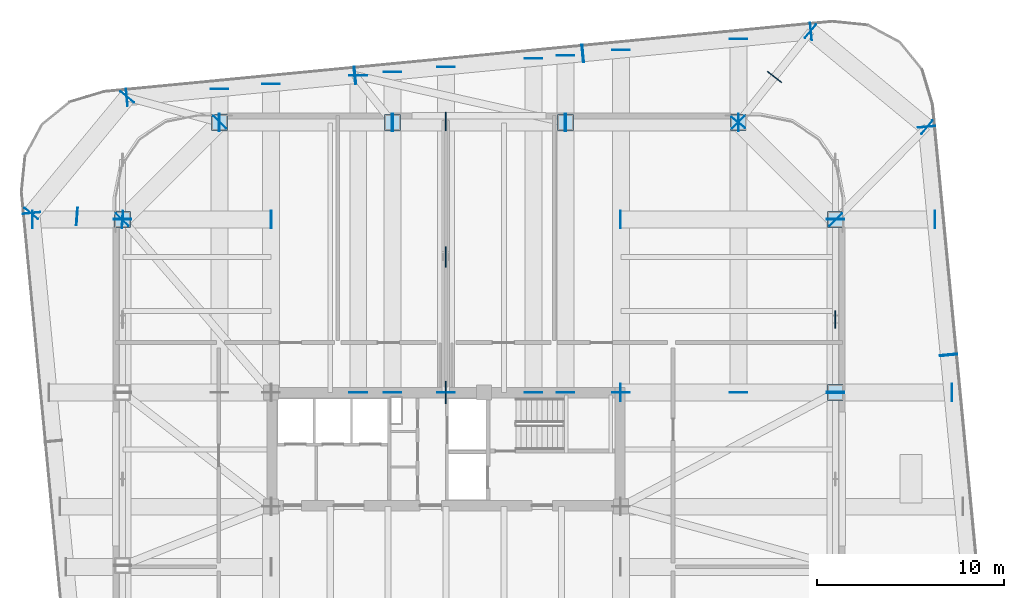
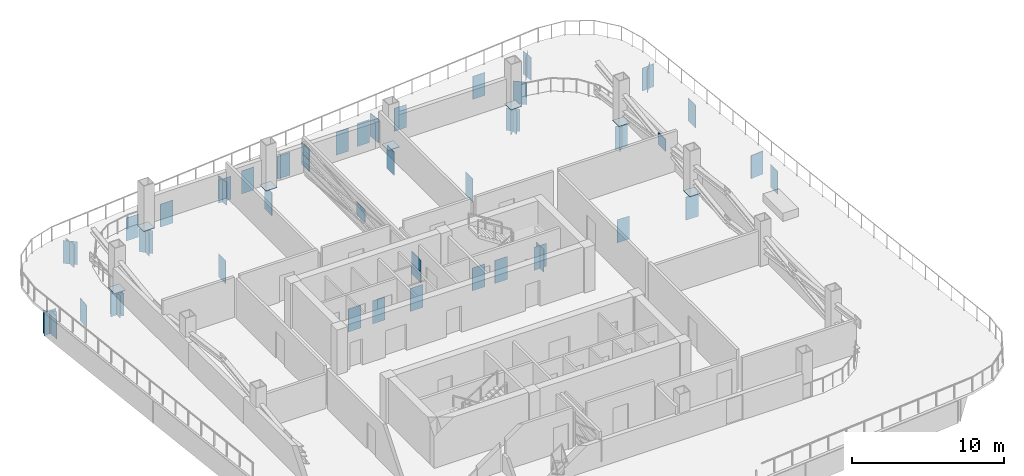
# One storey, part 7 of 15: 67 plates.
"""IFC4 building model written with IfcOpenShell, lengths in metres."""

import ifcopenshell
import ifcopenshell.guid

model = None  # the IFC model being written
_history = None  # IfcOwnerHistory: only IFC2X3 demands one
_inside = {}  # id of a spatial element -> (the spatial element, [elements in it])
_under = {}  # id of a project, library or spatial element -> (it, [spatial elements below it])
_declared = {}  # id of a project -> (the project, [libraries it declares])
_typed = {}  # id of a type object -> (the type object, [elements of that type])
_made_of = {}  # id of a material, layer set ... -> (it, [elements and type objects made of it])


def new_model(schema):
    """Start an empty IFC model of exactly this schema.

    Asked for "IFC4X3", IfcOpenShell would pick the latest addendum, in which some entities
    have other attributes; the version numbers below select the first issue.
    IFC2X3 requires an IfcOwnerHistory on every rooted entity: one is made here for all.
    """
    global model, _history
    if schema == "IFC4X3":
        model = ifcopenshell.file(schema_version=(4, 3, 0, 0))
    else:
        model = ifcopenshell.file(schema=schema)
    _inside.clear()
    _under.clear()
    _declared.clear()
    _typed.clear()
    _made_of.clear()
    _history = None
    if model.schema == "IFC2X3":
        org = make("IfcOrganization", Name="unknown")
        user = make(
            "IfcPersonAndOrganization",
            ThePerson=make("IfcPerson", FamilyName="unknown"),
            TheOrganization=org,
        )
        app = make(
            "IfcApplication",
            ApplicationDeveloper=org,
            Version="unknown",
            ApplicationFullName="unknown",
            ApplicationIdentifier="unknown",
        )
        _history = make(
            "IfcOwnerHistory",
            OwningUser=user,
            OwningApplication=app,
            ChangeAction="ADDED",
            CreationDate=0,
        )
    return model


def make(cls, **values):
    """One entity of the class cls with the attributes given. An attribute that is None is left unset."""
    return model.create_entity(
        cls, **{name: value for name, value in values.items() if value is not None}
    )


def rooted(cls, **values):
    """An entity with a GlobalId (a new one), such as an element, a storey or a relation."""
    return make(cls, GlobalId=ifcopenshell.guid.new(), OwnerHistory=_history, **values)


def si_unit(unit_type, name, prefix=None):
    """IfcSIUnit, for example si_unit("LENGTHUNIT", "METRE", prefix="MILLI")."""
    return make("IfcSIUnit", UnitType=unit_type, Prefix=prefix, Name=name)


def assignment(units):
    """IfcUnitAssignment: the units of a project."""
    return None if units is None else make("IfcUnitAssignment", Units=units)


def point(xyz):
    """IfcCartesianPoint."""
    return None if xyz is None else make("IfcCartesianPoint", Coordinates=xyz)


def direction(xyz):
    """IfcDirection."""
    return None if xyz is None else make("IfcDirection", DirectionRatios=xyz)


def frame(location, z_axis=None, x_axis=None):
    """IfcAxis2Placement3D, a coordinate frame: its origin and axes. An axis left out is left unset."""
    return make(
        "IfcAxis2Placement3D",
        Location=point(location),
        Axis=direction(z_axis),
        RefDirection=direction(x_axis),
    )


def frame_2d(location, x_axis=None):
    """IfcAxis2Placement2D, a coordinate frame in the plane: its origin and x axis."""
    return make(
        "IfcAxis2Placement2D", Location=point(location), RefDirection=direction(x_axis)
    )


def origin():
    """The frame at (0, 0, 0) with its axes left unset."""
    return frame((0.0, 0.0, 0.0))


def origin_2d():
    """The frame at (0, 0) in the plane with its x axis left unset."""
    return frame_2d((0.0, 0.0))


def place(relative_to, where):
    """IfcLocalPlacement: puts the frame where relative to a parent placement (None: the world)."""
    return make(
        "IfcLocalPlacement", PlacementRelTo=relative_to, RelativePlacement=where
    )


def context(
    kind, dimensions, precision=None, world=None, true_north=None, identifier=None
):
    """IfcGeometricRepresentationContext, for example the 3D "Model" context."""
    return make(
        "IfcGeometricRepresentationContext",
        ContextIdentifier=identifier,
        ContextType=kind,
        CoordinateSpaceDimension=dimensions,
        Precision=precision,
        WorldCoordinateSystem=world,
        TrueNorth=true_north,
    )


def subcontext(parent, identifier, kind, view, scale=None):
    """IfcGeometricRepresentationSubContext, for example "Body" below "Model"."""
    return make(
        "IfcGeometricRepresentationSubContext",
        ContextIdentifier=identifier,
        ContextType=kind,
        ParentContext=parent,
        TargetScale=scale,
        TargetView=view,
    )


def project(units=None, contexts=None):
    """IfcProject with its units and contexts."""
    return rooted(
        "IfcProject",
        Name="project",
        RepresentationContexts=contexts,
        UnitsInContext=assignment(units),
    )


def spatial(cls, under=None, at=None, **own):
    """A site, building, storey or space (cls), placed at a placement, below another one or the project."""
    s = rooted(cls, ObjectPlacement=at, **own)
    if under is not None:
        _under.setdefault(under.id(), (under, []))[1].append(s)
    return s


def profile(cls, at=None, kind="AREA", **sizes):
    """A parametric profile (cls). Its sizes go by their IFC names, for example OverallWidth=200.0."""
    return make(cls, ProfileType=kind, Position=at, **sizes)


def rectangle(**sizes):
    """IfcRectangleProfileDef."""
    return profile("IfcRectangleProfileDef", **sizes)


def extrude(swept, where, along, depth):
    """IfcExtrudedAreaSolid: the profile swept, set in the frame where, extruded along a direction by depth."""
    return make(
        "IfcExtrudedAreaSolid",
        SweptArea=swept,
        Position=where,
        ExtrudedDirection=direction(along),
        Depth=depth,
    )


def shape(context_of_items, identifier, shape_type, items):
    """IfcShapeRepresentation: the items that make up one representation, for example the "Body"."""
    return make(
        "IfcShapeRepresentation",
        ContextOfItems=context_of_items,
        RepresentationIdentifier=identifier,
        RepresentationType=shape_type,
        Items=items,
    )


def material(Name=None, Category=None):
    """IfcMaterial."""
    return make("IfcMaterial", Name=Name, Category=Category)


def layer(
    of_material, thickness, ventilated=None, Name=None, Category=None, Priority=None
):
    """IfcMaterialLayer: one layer of a wall or slab, of a material (None: an air gap)."""
    return make(
        "IfcMaterialLayer",
        Material=of_material,
        LayerThickness=thickness,
        IsVentilated=ventilated,
        Name=Name,
        Category=Category,
        Priority=Priority,
    )


def layer_set(layers, Name=None):
    """IfcMaterialLayerSet."""
    return make("IfcMaterialLayerSet", MaterialLayers=layers, LayerSetName=Name)


def made_of(thing, what):
    """Note that an element or type object is made of a material, layer set ...; save() writes the relation."""
    if what is not None:
        _made_of.setdefault(what.id(), (what, []))[1].append(thing)
    return thing


def type_object(cls, material=None, **own):
    """A type object (cls), such as IfcWallType, which elements share."""
    return made_of(rooted(cls, **own), material)


def element(
    cls,
    number,
    at=None,
    inside=None,
    cuts=None,
    type_object=None,
    material=None,
    context=None,
    identifier="Body",
    shape_type=None,
    held_by="IfcProductDefinitionShape",
    body=None,
    shapes=None,
    **own,
):
    """One element of the class cls, such as IfcWall. Its Tag is "e" and its number.

    at: its placement. inside: the storey or other place that contains it. cuts: it is an
    opening in that element (IfcRelVoidsElement). A single representation is given by context,
    identifier, shape_type and body (its items); several are given by shapes. held_by: the class
    of the entity that holds the representations. save() writes the other relations.
    """
    e = rooted(cls, Tag="e%d" % number, ObjectPlacement=at, **own)
    if body is not None:
        shapes = [shape(context, identifier, shape_type, body)]
    if shapes is not None:
        e.Representation = make(held_by, Representations=shapes)
    if inside is not None:
        _inside.setdefault(inside.id(), (inside, []))[1].append(e)
    if cuts is not None:
        rooted(
            "IfcRelVoidsElement", RelatingBuildingElement=cuts, RelatedOpeningElement=e
        )
    if type_object is not None:
        _typed.setdefault(type_object.id(), (type_object, []))[1].append(e)
    return made_of(e, material)


def aggregate(whole, parts):
    """IfcRelAggregates: a whole, such as a stair, and the parts it consists of."""
    return rooted("IfcRelAggregates", RelatingObject=whole, RelatedObjects=parts)


def save(model, path):
    """Write the relations noted so far, then the file.

    IfcRelAggregates (storeys below a building ...), IfcRelContainedInSpatialStructure (elements
    in a storey), IfcRelDefinesByType, IfcRelAssociatesMaterial and IfcRelDeclares: one each for
    every whole, place, type object, material and project.
    """
    for whole, parts in _under.values():
        aggregate(whole, parts)
    for where, things in _inside.values():
        rooted(
            "IfcRelContainedInSpatialStructure",
            RelatedElements=things,
            RelatingStructure=where,
        )
    for kind, things in _typed.values():
        rooted("IfcRelDefinesByType", RelatedObjects=things, RelatingType=kind)
    for what, things in _made_of.values():
        rooted("IfcRelAssociatesMaterial", RelatedObjects=things, RelatingMaterial=what)
    for by, libraries in _declared.values():
        rooted("IfcRelDeclares", RelatingContext=by, RelatedDefinitions=libraries)
    model.write(path)


model = new_model("IFC4")

# Units and contexts
model_context = context("Model", 3, precision=1e-05, world=origin(), true_north=direction((0.0, 1.0)))
body_context = subcontext(model_context, "Body", "Model", "MODEL_VIEW")
ifc_project = project(units=[si_unit("LENGTHUNIT", "METRE"), si_unit("AREAUNIT", "SQUARE_METRE"), si_unit("VOLUMEUNIT", "CUBIC_METRE"), si_unit("PLANEANGLEUNIT", "RADIAN"), si_unit("MASSUNIT", "GRAM", prefix="KILO")], contexts=[model_context])

# Site, building, storey
site_placement = place(None, origin())
site = spatial("IfcSite", under=ifc_project, at=site_placement, CompositionType="ELEMENT")
building_placement = place(site_placement, origin())
building = spatial("IfcBuilding", under=site, at=building_placement, Name="Qhalaya Broadcast Tower", CompositionType="ELEMENT")
storey_placement = place(building_placement, frame((0.0, 0.0, 101.25)))
storey = spatial("IfcBuildingStorey", under=building, at=storey_placement, Name="L29", CompositionType="ELEMENT", Elevation=101.25)

# Plates
ifc_material = material(Name="Structural Steel ASTM A572 Grade 50", Category="steel")
ifc_layer_1 = layer(ifc_material, 0.4599609375, Name="Structural Steel ASTM A572 Grade 50")
ifc_layer_set_1 = layer_set([ifc_layer_1], Name="Structural Steel ASTM A572 Grade 50")
plate_type_1 = type_object("IfcPlateType", Name="Hollow Box Member End Cap Plate CP-01", PredefinedType="USERDEFINED", material=ifc_layer_set_1)
for number, where, z_axis, x_axis, name in (
    (1, (20.8701171875, 9.959228515625, -2.10009765625), (0.0, 0.0, 1.0), (-1.0, 0.0, 0.0), "L29 Hollow Girder End Cap L29-SPR-06-B"),
    (2, (20.8701171875, 9.92724609375, -2.10009765625), (0.0, 0.0, 1.0), (-1.0, 0.0, 0.0), "L29 Hollow Girder End Cap L29-SPR-07-A"),
    (3, (20.8701171875, 19.22607421875, -2.10009765625), (0.0, 0.0, 1.0), (-1.0, 0.0, 0.0), "L29 Hollow Girder End Cap L29-SPR-07-B"),
    (4, (20.88134765625, 19.19873046875, -2.10009765625), (0.0, 0.0, 1.0), (-0.707106781187, -0.707106781187, 0.0), "L29 Hollow Girder End Cap L29-SPR-08-A"),
    (5, (15.65869140625, 24.42138671875, -2.10009765625), (0.0, 0.0, 1.0), (-0.707106781187, -0.707106781187, 0.0), "L29 Hollow Girder End Cap L29-SPR-08-B"),
    (6, (15.68603515625, 24.409912109375, -2.10009765625), (0.0, 0.0, 1.0), (0.0, -1.0, 0.0), "L29 Hollow Girder End Cap L29-SPR-09-A"),
    (7, (6.38720703125, 24.409912109375, -2.10009765625), (0.0, 0.0, 1.0), (0.0, -1.0, 0.0), "L29 Hollow Girder End Cap L29-SPR-09-B"),
    (8, (6.419189453125, 24.409912109375, -2.10009765625), (0.0, 0.0, 1.0), (0.0, -1.0, 0.0), "L29 Hollow Girder End Cap L29-SPR-10-A"),
    (9, (-2.87939453125, 24.409912109375, -2.10009765625), (0.0, 0.0, 1.0), (0.0, -1.0, 0.0), "L29 Hollow Girder End Cap L29-SPR-10-B"),
    (10, (-2.847412109375, 24.409912109375, -2.10009765625), (0.0, 0.0, 1.0), (0.0, -1.0, 0.0), "L29 Hollow Girder End Cap L29-SPR-11-A"),
    (11, (-12.14599609375, 24.409912109375, -2.10009765625), (0.0, 0.0, 1.0), (0.0, -1.0, 0.0), "L29 Hollow Girder End Cap L29-SPR-11-B"),
    (12, (-12.11865234375, 24.42138671875, -2.10009765625), (0.0, 0.0, 1.0), (0.707106781187, -0.707106781187, 0.0), "L29 Hollow Girder End Cap L29-SPR-12-A"),
    (13, (-17.34130859375, 19.19873046875, -2.10009765625), (0.0, 0.0, 1.0), (0.707106781187, -0.707106781187, 0.0), "L29 Hollow Girder End Cap L29-SPR-12-B"),
    (14, (-17.330078125, 19.22607421875, -2.10009765625), (0.0, 0.0, 1.0), (1.0, 0.0, 0.0), "L29 Hollow Girder End Cap L29-SPR-13-A"),
    (15, (26.939697265625, 11.970947265625, -2.10009765625), (0.0, 0.0, 1.0), (-0.995396198367, -0.09584575252, 0.0), "L29 Hollow Girder End Cap L29-TGL-06-B"),
    (16, (26.942626953125, 11.939208984375, -2.10009765625), (0.0, 0.0, 1.0), (-0.995396198367, -0.09584575252, 0.0), "L29 Hollow Girder End Cap L29-TGL-07-A"),
    (17, (25.763916015625, 24.18115234375, -2.10009765625), (0.0, 0.0, 1.0), (-0.995396198367, -0.09584575252, 0.0), "L29 Hollow Girder End Cap L29-TGL-07-B"),
    (18, (25.77783203125, 24.155029296875, -2.10009765625), (0.0, 0.0, 1.0), (-0.636078220278, -0.771624583388, 0.0), "L29 Hollow Girder End Cap L29-TGL-08-A"),
    (19, (19.533203125, 29.302734375, -2.10009765625), (0.0, 0.0, 1.0), (-0.636078220278, -0.771624583388, 0.0), "L29 Hollow Girder End Cap L29-TGL-08-B"),
    (20, (19.561279296875, 29.294189453125, -2.10009765625), (0.0, 0.0, 1.0), (0.09584575252, -0.995396198367, 0.0), "L29 Hollow Girder End Cap L29-TGL-09-A"),
    (21, (7.3193359375, 28.115478515625, -2.10009765625), (0.0, 0.0, 1.0), (0.09584575252, -0.995396198367, 0.0), "L29 Hollow Girder End Cap L29-TGL-09-B"),
    (22, (7.35107421875, 28.118408203125, -2.10009765625), (0.0, 0.0, 1.0), (0.09584575252, -0.995396198367, 0.0), "L29 Hollow Girder End Cap L29-TGL-10-A"),
    (23, (-4.890869140625, 26.939697265625, -2.10009765625), (0.0, 0.0, 1.0), (0.09584575252, -0.995396198367, 0.0), "L29 Hollow Girder End Cap L29-TGL-10-B"),
    (24, (-4.859130859375, 26.942626953125, -2.10009765625), (0.0, 0.0, 1.0), (0.09584575252, -0.995396198367, 0.0), "L29 Hollow Girder End Cap L29-TGL-11-A"),
    (25, (-17.10107421875, 25.763916015625, -2.10009765625), (0.0, 0.0, 1.0), (0.09584575252, -0.995396198367, 0.0), "L29 Hollow Girder End Cap L29-TGL-11-B"),
    (26, (-17.074951171875, 25.77783203125, -2.10009765625), (0.0, 0.0, 1.0), (0.771624583388, -0.636078220278, 0.0), "L29 Hollow Girder End Cap L29-TGL-12-A"),
    (27, (-22.222900390625, 19.533203125, -2.10009765625), (0.0, 0.0, 1.0), (0.771624583388, -0.636078220278, 0.0), "L29 Hollow Girder End Cap L29-TGL-12-B"),
    (28, (-22.214111328125, 19.561279296875, -2.10009765625), (0.0, 0.0, 1.0), (0.995396198367, 0.09584575252, 0.0), "L29 Hollow Girder End Cap L29-TGL-13-A"),
    (29, (-9.375, 26.483642578125, -2.10009765625), (0.0, 0.0, 1.0), (-1.0, 0.0, 0.0), "L29 Hollow Girder End Cap L29-TGINW-1-B"),
    (30, (9.375, 9.93408203125, -2.10009765625), (0.0, 0.0, 1.0), (-1.0, 0.0, 0.0), "L29 Hollow Girder End Cap L29-TGINE-1-A"),
    (31, (9.375, 28.2890625, -2.10009765625), (0.0, 0.0, 1.0), (-1.0, 0.0, 0.0), "L29 Hollow Girder End Cap L29-TGINE-1-B"),
    (32, (0.0, 9.93408203125, -2.10009765625), (0.0, 0.0, 1.0), (-1.0, 0.0, 0.0), "L29 Hollow Girder End Cap L29-TGIMN-1-A"),
    (33, (0.0, 27.386474609375, -2.10009765625), (0.0, 0.0, 1.0), (-1.0, 0.0, 0.0), "L29 Hollow Girder End Cap L29-TGIMN-1-B"),
    (34, (-4.699951171875, 9.93408203125, -2.10009765625), (0.0, 0.0, 1.0), (-1.0, 0.0, 0.0), "L29 Hollow Girder End Cap L29-TGIMNW-1-A"),
    (35, (-4.699951171875, 26.933837890625, -2.10009765625), (0.0, 0.0, 1.0), (-1.0, 0.0, 0.0), "L29 Hollow Girder End Cap L29-TGIMNW-1-B"),
    (36, (4.699951171875, 9.93408203125, -2.10009765625), (0.0, 0.0, 1.0), (-1.0, 0.0, 0.0), "L29 Hollow Girder End Cap L29-TGIMNE-1-A"),
    (37, (4.699951171875, 27.839111328125, -2.10009765625), (0.0, 0.0, 1.0), (-1.0, 0.0, 0.0), "L29 Hollow Girder End Cap L29-TGIMNE-1-B"),
    (38, (9.35888671875, 9.949951171875, -2.10009765625), (0.0, 0.0, 1.0), (0.0, 1.0, 0.0), "L29 Hollow Girder End Cap L29-TGIY4E-1-A"),
    (39, (27.110107421875, 9.949951171875, -2.10009765625), (0.0, 0.0, 1.0), (0.0, 1.0, 0.0), "L29 Hollow Girder End Cap L29-TGIY4E-1-B"),
    (40, (9.35888671875, 19.2099609375, -2.10009765625), (0.0, 0.0, 1.0), (0.0, 1.0, 0.0), "L29 Hollow Girder End Cap L29-TGC-08-A"),
    (41, (26.218505859375, 19.2099609375, -2.10009765625), (0.0, 0.0, 1.0), (0.0, 1.0, 0.0), "L29 Hollow Girder End Cap L29-TGC-08-B"),
    (42, (15.669921875, 9.93408203125, -2.10009765625), (0.0, 0.0, 1.0), (-1.0, 0.0, 0.0), "L29 Hollow Girder End Cap L29-TGC-09-A"),
    (43, (15.669921875, 28.895263671875, -2.10009765625), (0.0, 0.0, 1.0), (-1.0, 0.0, 0.0), "L29 Hollow Girder End Cap L29-TGC-09-B"),
):
    element("IfcPlate", number, at=place(storey_placement, frame(where, z_axis=z_axis, x_axis=x_axis)), inside=storey, type_object=plate_type_1, Name=name, ObjectType="COVER_PLATE", PredefinedType="USERDEFINED", context=body_context, shape_type="SweptSolid", body=[
        extrude(rectangle(XDim=0.93994140625, YDim=0.031982421875, at=origin_2d()), origin(), (0.0, 0.0, 1.0), 1.840087890625),
    ])
plate_1_placement = place(storey_placement, frame((15.669921875, 24.409912109375, -2.080078125), z_axis=(0.0, 0.0, 1.0), x_axis=(0.783259623423, -0.62169475011, 0.0)))
element("IfcPlate", 44, at=plate_1_placement, inside=storey, type_object=plate_type_1, Name="L29 Transfer Box End Cap 09", ObjectType="COVER_PLATE", PredefinedType="USERDEFINED", context=body_context, shape_type="SweptSolid", body=[
    extrude(rectangle(XDim=0.919921875, YDim=0.035888671875, at=origin_2d()), origin(), (0.0, 0.0, 1.0), 1.800048828125),
])
for number, where, z_axis, x_axis, name in (
    (45, (6.4033203125, 9.93408203125, -2.10009765625), (0.0, 0.0, 1.0), (-1.0, 0.0, 0.0), "L29 Hollow Girder End Cap L29-TGC-10-A"),
    (46, (6.4033203125, 28.0029296875, -2.10009765625), (0.0, 0.0, 1.0), (-1.0, 0.0, 0.0), "L29 Hollow Girder End Cap L29-TGC-10-B"),
    (47, (-2.86328125, 9.93408203125, -2.10009765625), (0.0, 0.0, 1.0), (-1.0, 0.0, 0.0), "L29 Hollow Girder End Cap L29-TGC-11-A"),
    (48, (-2.86328125, 27.110595703125, -2.10009765625), (0.0, 0.0, 1.0), (-1.0, 0.0, 0.0), "L29 Hollow Girder End Cap L29-TGC-11-B"),
    (49, (-12.1298828125, 26.218505859375, -2.10009765625), (0.0, 0.0, 1.0), (-1.0, 0.0, 0.0), "L29 Hollow Girder End Cap L29-TGC-12-B"),
    (50, (-22.156005859375, 19.2099609375, -2.10009765625), (0.0, 0.0, 1.0), (0.0, 1.0, 0.0), "L29 Hollow Girder End Cap L29-TGC-13-A"),
    (51, (-9.35888671875, 19.2099609375, -2.10009765625), (0.0, 0.0, 1.0), (0.0, 1.0, 0.0), "L29 Hollow Girder End Cap L29-TGC-13-B"),
):
    element("IfcPlate", number, at=place(storey_placement, frame(where, z_axis=z_axis, x_axis=x_axis)), inside=storey, type_object=plate_type_1, Name=name, ObjectType="COVER_PLATE", PredefinedType="USERDEFINED", context=body_context, shape_type="SweptSolid", body=[
        extrude(rectangle(XDim=0.93994140625, YDim=0.031982421875, at=origin_2d()), origin(), (0.0, 0.0, 1.0), 1.840087890625),
    ])
plate_2_placement = place(storey_placement, frame((-17.330078125, 19.2099609375, -2.080078125), z_axis=(0.0, 0.0, 1.0), x_axis=(0.068537667585, 0.997648529354, 0.0)))
element("IfcPlate", 52, at=plate_2_placement, inside=storey, type_object=plate_type_1, Name="L29 Transfer Box End Cap 13", ObjectType="COVER_PLATE", PredefinedType="USERDEFINED", context=body_context, shape_type="SweptSolid", body=[
    extrude(rectangle(XDim=0.919921875, YDim=0.035888671875, at=origin_2d()), origin(), (0.0, 0.0, 1.0), 1.800048828125),
])
for number, where, z_axis, x_axis, name in (
    (53, (20.8701171875, 9.943359375, -0.0322265625), (0.0, 0.0, 1.0), (0.0, 1.0, 0.0), "L29 Hollow Box Column Base Cap Plate COL-NK07"),
    (54, (20.8701171875, 19.2099609375, -0.0322265625), (0.0, 0.0, 1.0), (0.0, 1.0, 0.0), "L29 Hollow Box Column Base Cap Plate COL-NK08"),
    (55, (15.669921875, 24.409912109375, -0.0322265625), (0.0, 0.0, 1.0), (1.0, 0.0, 0.0), "L29 Hollow Box Column Base Cap Plate COL-NK09"),
    (56, (6.4033203125, 24.409912109375, -0.0322265625), (0.0, 0.0, 1.0), (1.0, 0.0, 0.0), "L29 Hollow Box Column Base Cap Plate COL-NK10"),
    (57, (-2.86328125, 24.409912109375, -0.0322265625), (0.0, 0.0, 1.0), (1.0, 0.0, 0.0), "L29 Hollow Box Column Base Cap Plate COL-NK11"),
    (58, (-12.1298828125, 24.409912109375, -0.0322265625), (0.0, 0.0, 1.0), (1.0, 0.0, 0.0), "L29 Hollow Box Column Base Cap Plate COL-NK12"),
    (59, (-17.330078125, 19.2099609375, -0.0322265625), (0.0, 0.0, 1.0), (0.0, 1.0, 0.0), "L29 Hollow Box Column Base Cap Plate COL-NK13"),
):
    element("IfcPlate", number, at=place(storey_placement, frame(where, z_axis=z_axis, x_axis=x_axis)), inside=storey, type_object=plate_type_1, Name=name, ObjectType="COVER_PLATE", PredefinedType="USERDEFINED", context=body_context, shape_type="SweptSolid", body=[
        extrude(rectangle(XDim=0.840087890625, YDim=0.840087890625, at=origin_2d()), origin(), (0.0, 0.0, 1.0), 0.031982421875),
    ])
ifc_layer_2 = layer(ifc_material, 0.06005859375, Name="Structural Steel ASTM A572 Grade 50")
ifc_layer_set_2 = layer_set([ifc_layer_2], Name="Structural Steel ASTM A572 Grade 50")
plate_type_2 = type_object("IfcPlateType", Name="Outrigger Core Embed Gusset Plate NP-02", PredefinedType="USERDEFINED", material=ifc_layer_set_2)
for number, where, z_axis, x_axis, name in (
    (60, (0.0, 9.949951171875, 0.400146484375), (0.0, 0.0, 1.0), (0.0, 1.0, 0.0), "L29 Outrigger Gusset Node NC-C0"),
    (61, (0.0, 9.949951171875, 1.2900390625), (0.0, 0.0, 1.0), (0.0, 1.0, 0.0), "L29 Outrigger Gusset Node NC-C1"),
):
    element("IfcPlate", number, at=place(storey_placement, frame(where, z_axis=z_axis, x_axis=x_axis)), inside=storey, type_object=plate_type_2, Name=name, ObjectType="GUSSET_PLATE", PredefinedType="USERDEFINED", context=body_context, shape_type="SweptSolid", body=[
        extrude(rectangle(XDim=1.199951171875, YDim=0.06005859375, at=origin_2d()), origin(), (0.0, 0.0, 1.0), 0.89990234375),
    ])
plate_3_placement = place(storey_placement, frame((0.0, 17.205078125, 0.794921875), z_axis=(0.0, 0.0, 1.0), x_axis=(0.0, 1.0, 0.0)))
element("IfcPlate", 62, at=plate_3_placement, inside=storey, type_object=plate_type_2, Name="L29 Outrigger Gusset Node NC-XM", ObjectType="GUSSET_PLATE", PredefinedType="USERDEFINED", context=body_context, shape_type="SweptSolid", body=[
    extrude(rectangle(XDim=1.10009765625, YDim=0.06005859375, at=origin_2d()), origin(), (0.0, 0.0, 1.0), 1.0),
])
for number, where, z_axis, x_axis, name in (
    (63, (0.0, 24.4599609375, 0.425048828125), (0.0, 0.0, 1.0), (0.0, 1.0, 0.0), "L29 Outrigger Gusset Node NC-P0"),
    (64, (0.0, 24.4599609375, 1.31494140625), (0.0, 0.0, 1.0), (0.0, 1.0, 0.0), "L29 Outrigger Gusset Node NC-P1"),
):
    element("IfcPlate", number, at=place(storey_placement, frame(where, z_axis=z_axis, x_axis=x_axis)), inside=storey, type_object=plate_type_2, Name=name, ObjectType="GUSSET_PLATE", PredefinedType="USERDEFINED", context=body_context, shape_type="SweptSolid", body=[
        extrude(rectangle(XDim=1.0, YDim=0.06005859375, at=origin_2d()), origin(), (0.0, 0.0, 1.0), 0.85009765625),
    ])
plate_4_placement = place(storey_placement, frame((20.8701171875, 13.860107421875, 1.13525390625), z_axis=(0.0, 0.0, 1.0), x_axis=(0.0, 1.0, 0.0)))
element("IfcPlate", 65, at=plate_4_placement, inside=storey, type_object=plate_type_2, Name="L29 Belt Truss X-Crossing Gusset E2", ObjectType="GUSSET_PLATE", PredefinedType="USERDEFINED", context=body_context, shape_type="SweptSolid", body=[
    extrude(rectangle(XDim=0.949951171875, YDim=0.06005859375, at=origin_2d()), origin(), (0.0, 0.0, 1.0), 0.949951171875),
])
ifc_layer_3 = layer(ifc_material, 0.044921875, Name="Structural Steel ASTM A572 Grade 50")
ifc_layer_set_3 = layer_set([ifc_layer_3], Name="Structural Steel ASTM A572 Grade 50")
plate_type_3 = type_object("IfcPlateType", Name="Transfer Girder Web Stiffener Plate WS-01", PredefinedType="USERDEFINED", material=ifc_layer_set_3)
for number, where, z_axis, x_axis, name in (
    (66, (17.607666015625, 26.851318359375, -2.080078125), (0.0, 0.0, 1.0), (0.783259623423, -0.62169475011, 0.0), "L29 Transfer Girder Stiffener 09"),
    (67, (-19.771240234375, 19.377685546875, -2.080078125), (0.0, 0.0, 1.0), (0.068537667585, 0.997648529354, 0.0), "L29 Transfer Girder Stiffener 13"),
):
    element("IfcPlate", number, at=place(storey_placement, frame(where, z_axis=z_axis, x_axis=x_axis)), inside=storey, type_object=plate_type_3, Name=name, ObjectType="STIFFENER_PLATE", PredefinedType="USERDEFINED", context=body_context, shape_type="SweptSolid", body=[
        extrude(rectangle(XDim=0.93994140625, YDim=0.044921875, at=origin_2d()), origin(), (0.0, 0.0, 1.0), 1.800048828125),
    ])

save(model, "model.ifc")
